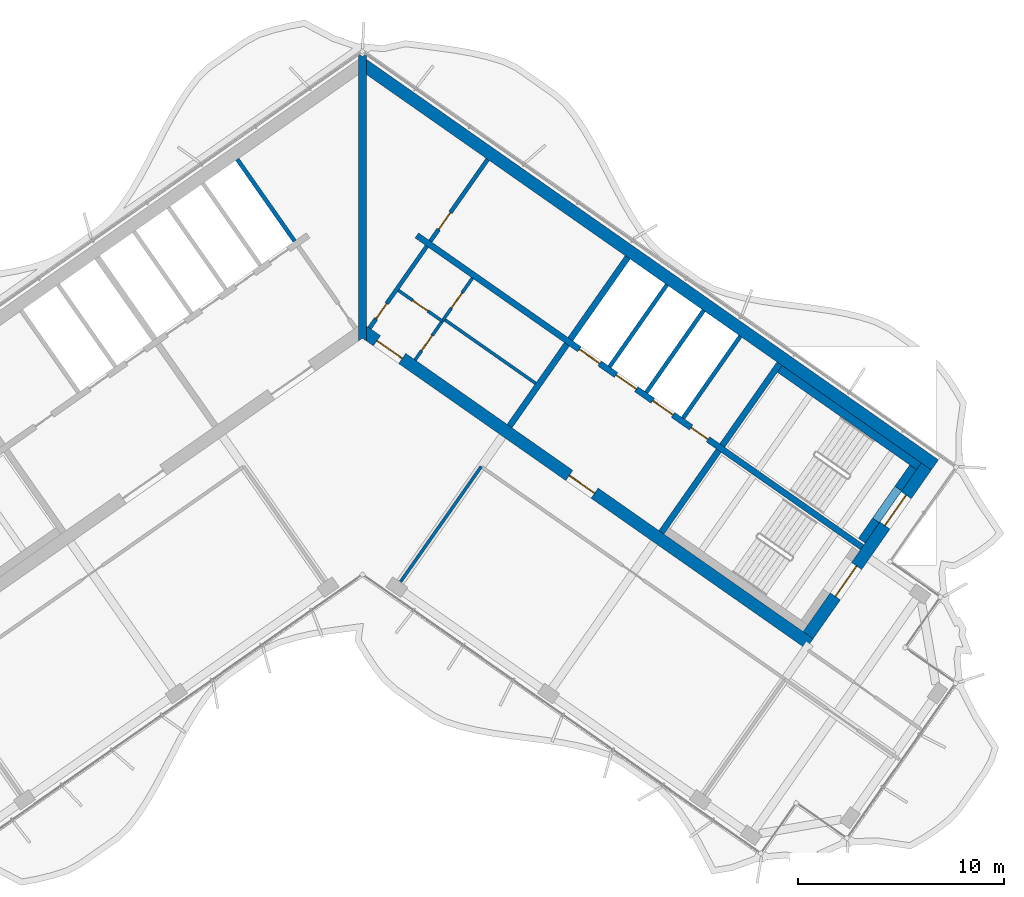
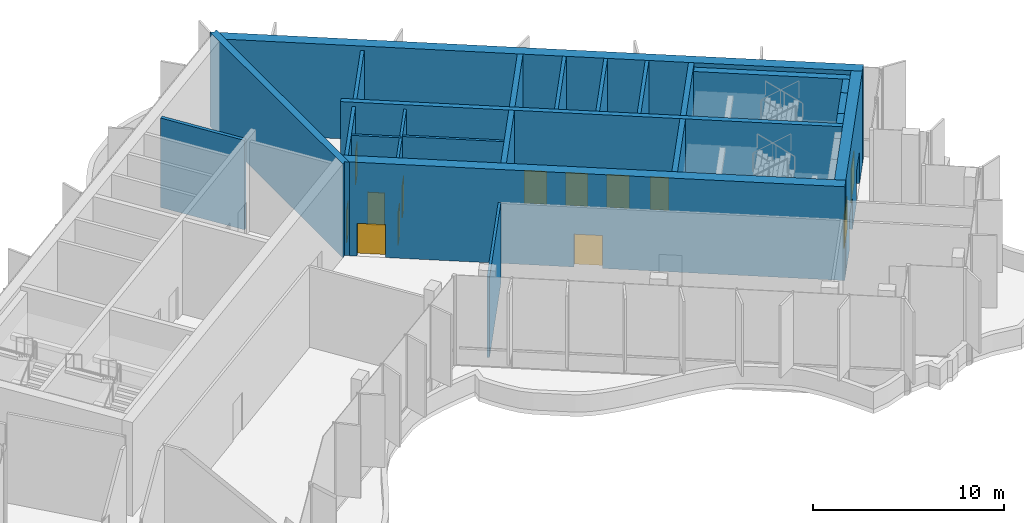
# One storey, part 10 of 18: 23 walls, 13 doors, 13 openings.
"""IFC4 building model written with IfcOpenShell, lengths in metres."""

from ifc_helpers import new_model, si_unit, direction, frame, frame_2d, origin, place, context, subcontext, project, spatial, polyline, rectangle, outline, extrude, material, layer, layer_set, type_object, element, fill, save


model = new_model("IFC4")

# Units and contexts
model_context = context("Model", 3, precision=1e-05, world=origin(), true_north=direction((0.0, 1.0)))
body_context = subcontext(model_context, "Body", "Model", "MODEL_VIEW")
ifc_project = project(units=[si_unit("LENGTHUNIT", "METRE"), si_unit("AREAUNIT", "SQUARE_METRE"), si_unit("VOLUMEUNIT", "CUBIC_METRE"), si_unit("PLANEANGLEUNIT", "RADIAN"), si_unit("MASSUNIT", "GRAM", prefix="KILO")], contexts=[model_context])

# Site, building, storey
site_placement = place(None, origin())
site = spatial("IfcSite", under=ifc_project, at=site_placement, CompositionType="ELEMENT")
building_placement = place(site_placement, origin())
building = spatial("IfcBuilding", under=site, at=building_placement, Name="Tel Ilan Convention Tower", CompositionType="ELEMENT")
storey_placement = place(building_placement, frame((0.0, 0.0, 307.300048828125)))
storey = spatial("IfcBuildingStorey", under=building, at=storey_placement, Name="L73", CompositionType="ELEMENT", Elevation=307.300048828125)

# Wall, openings, doors
ifc_material_1 = material(Name="Gypsum Plasterboard on Steel Stud", Category="steel")
ifc_layer_1 = layer(ifc_material_1, 0.14990234375)
ifc_layer_set_1 = layer_set([ifc_layer_1], Name="Core Room Partition Wall 150 mm EI 60")
wall_type_1 = type_object("IfcWallType", Name="Core Room Partition Wall 150 mm EI 60", PredefinedType="PARTITIONING", material=ifc_layer_set_1)
wall_1_placement = place(storey_placement, frame((2.5556640625, -2.27783203125, 0.0), z_axis=(0.0, 0.0, 1.0), x_axis=(0.573560315113, 0.819163332265, 0.0)))
wall_1 = element("IfcWall", 1, at=wall_1_placement, inside=storey, type_object=wall_type_1, Name="L73 core wall wc-v1", PredefinedType="PARTITIONING", context=body_context, shape_type="SweptSolid", body=[
    extrude(rectangle(XDim=4.849853515625, YDim=0.14990234375, at=frame_2d((2.4248046875, 0.0))), origin(), (0.0, 0.0, 1.0), 5.719970703125),
])
opening_1_placement = place(wall_1_placement, frame((0.550048828125, 0.0, 0.0)))
opening_1 = element("IfcOpeningElement", 2, at=opening_1_placement, cuts=wall_1, Name="Opening CD5511", PredefinedType="OPENING", context=body_context, shape_type="SweptSolid", body=[
    extrude(rectangle(XDim=0.89990234375, YDim=2.10009765625, at=frame_2d((0.449951171875, 1.050048828125))), frame((0.0, 0.0849609375, 0.0), z_axis=(0.0, -1.0, 0.0), x_axis=(1.0, 0.0, 0.0)), (0.0, 0.0, 1.0), 0.169921875),
])
opening_2_placement = place(wall_1_placement, frame((3.074951171875, 0.0, 0.0)))
opening_2 = element("IfcOpeningElement", 3, at=opening_2_placement, cuts=wall_1, Name="Opening CD5512", PredefinedType="OPENING", context=body_context, shape_type="SweptSolid", body=[
    extrude(rectangle(XDim=0.89990234375, YDim=2.10009765625, at=frame_2d((0.449951171875, 1.050048828125))), frame((0.0, 0.0849609375, 0.0), z_axis=(0.0, -1.0, 0.0), x_axis=(1.0, 0.0, 0.0)), (0.0, 0.0, 1.0), 0.169921875),
])
ifc_material_2 = material(Name="Laminated Timber Door Leaf", Category="wood")
door_type_1 = type_object("IfcDoorType", Name="Toilet Door 900 x 2100 FD30S", OperationType="NOTDEFINED", PredefinedType="DOOR", material=ifc_material_2)
door_1_placement = place(opening_1_placement, origin())
door_1 = element("IfcDoor", 4, at=door_1_placement, inside=storey, type_object=door_type_1, Name="Women's WC door", OperationType="SINGLE_SWING_RIGHT", OverallHeight=2.10009765625, OverallWidth=0.89990234375, PredefinedType="DOOR", context=body_context, shape_type="SweptSolid", body=[
    extrude(rectangle(XDim=0.89990234375, YDim=2.10009765625, at=frame_2d((0.449951171875, 1.050048828125))), frame((0.0, 0.02490234375, 0.0), z_axis=(0.0, -1.0, 0.0), x_axis=(1.0, 0.0, 0.0)), (0.0, 0.0, 1.0), 0.050048828125),
])
fill(opening_1, door_1)
door_2_placement = place(opening_2_placement, origin())
door_2 = element("IfcDoor", 5, at=door_2_placement, inside=storey, type_object=door_type_1, Name="Men's WC door", OperationType="SINGLE_SWING_RIGHT", OverallHeight=2.10009765625, OverallWidth=0.89990234375, PredefinedType="DOOR", context=body_context, shape_type="SweptSolid", body=[
    extrude(rectangle(XDim=0.89990234375, YDim=2.10009765625, at=frame_2d((0.449951171875, 1.050048828125))), frame((0.0, 0.02490234375, 0.0), z_axis=(0.0, -1.0, 0.0), x_axis=(1.0, 0.0, 0.0)), (0.0, 0.0, 1.0), 0.050048828125),
])
fill(opening_2, door_2)

# Wall, opening, door
wall_2_placement = place(storey_placement, frame((1.7451171875, 1.097412109375, 0.0), z_axis=(0.0, 0.0, 1.0), x_axis=(0.819178980414, -0.573537965655, 0.0)))
wall_2 = element("IfcWall", 6, at=wall_2_placement, inside=storey, type_object=wall_type_1, Name="L73 core wall wc-h1", PredefinedType="PARTITIONING", context=body_context, shape_type="SweptSolid", body=[
    extrude(rectangle(XDim=2.60009765625, YDim=0.14990234375, at=frame_2d((1.300048828125, 0.0))), origin(), (0.0, 0.0, 1.0), 5.719970703125),
])
opening_3_placement = place(wall_2_placement, frame((0.85009765625, 0.0, 0.0)))
opening_3 = element("IfcOpeningElement", 7, at=opening_3_placement, cuts=wall_2, Name="Opening CD5510", PredefinedType="OPENING", context=body_context, shape_type="SweptSolid", body=[
    extrude(rectangle(XDim=0.89990234375, YDim=2.10009765625, at=frame_2d((0.449951171875, 1.050048828125))), frame((0.0, 0.0849609375, 0.0), z_axis=(0.0, -1.0, 0.0), x_axis=(1.0, 0.0, 0.0)), (0.0, 0.0, 1.0), 0.169921875),
])
door_3_placement = place(opening_3_placement, origin())
door_3 = element("IfcDoor", 8, at=door_3_placement, inside=storey, type_object=door_type_1, Name="Accessible WC door", OperationType="SINGLE_SWING_RIGHT", OverallHeight=2.10009765625, OverallWidth=0.89990234375, PredefinedType="DOOR", context=body_context, shape_type="SweptSolid", body=[
    extrude(rectangle(XDim=0.89990234375, YDim=2.10009765625, at=frame_2d((0.449951171875, 1.050048828125))), frame((0.0, 0.02490234375, 0.0), z_axis=(0.0, -1.0, 0.0), x_axis=(1.0, 0.0, 0.0)), (0.0, 0.0, 1.0), 0.050048828125),
])
fill(opening_3, door_3)

# Walls
wall_3_placement = place(storey_placement, frame((3.946533203125, -0.29150390625, 0.0), z_axis=(0.0, 0.0, 1.0), x_axis=(0.819151939971, -0.573576585332, 0.0)))
element("IfcWall", 9, at=wall_3_placement, inside=storey, type_object=wall_type_1, Name="L73 core wall wc-h2", PredefinedType="PARTITIONING", context=body_context, shape_type="SweptSolid", body=[
    extrude(rectangle(XDim=5.449951171875, YDim=0.14990234375, at=frame_2d((2.72509765625, 0.0))), origin(), (0.0, 0.0, 1.0), 5.719970703125),
])
ifc_material_3 = material(Name="Concrete C30/37", Category="concrete")
ifc_layer_2 = layer(ifc_material_3, 0.199951171875)
ifc_layer_set_2 = layer_set([ifc_layer_2], Name="Core Service Room Wall 200 mm C30/37")
wall_type_2 = type_object("IfcWallType", Name="Core Service Room Wall 200 mm C30/37", PredefinedType="SOLIDWALL", material=ifc_layer_set_2)
wall_4_placement = place(storey_placement, frame((-3.2978515625, 3.489501953125, 0.0), z_axis=(0.0, 0.0, 1.0), x_axis=(-0.573560315113, 0.819163332265, 0.0)))
element("IfcWall", 10, at=wall_4_placement, inside=storey, type_object=wall_type_2, Name="L73 core wall apex-W-b", PredefinedType="SOLIDWALL", context=body_context, shape_type="SweptSolid", body=[
    extrude(rectangle(XDim=4.849853515625, YDim=0.199951171875, at=frame_2d((2.4248046875, 0.0))), origin(), (0.0, 0.0, 1.0), 5.719970703125),
])

# Wall, opening, door
wall_5_placement = place(storey_placement, frame((0.343994140625, -0.729248046875, 0.0), z_axis=(0.0, 0.0, 1.0), x_axis=(0.573560315113, 0.819163332265, 0.0)))
wall_5 = element("IfcWall", 11, at=wall_5_placement, inside=storey, type_object=wall_type_2, Name="L73 core wall apex-E", PredefinedType="SOLIDWALL", context=body_context, shape_type="SweptSolid", body=[
    extrude(rectangle(XDim=4.849853515625, YDim=0.199951171875, at=frame_2d((2.4248046875, 0.0))), origin(), (0.0, 0.0, 1.0), 5.719970703125),
])
opening_4_placement = place(wall_5_placement, frame((0.550048828125, 0.0, 0.0)))
opening_4 = element("IfcOpeningElement", 12, at=opening_4_placement, cuts=wall_5, Name="Opening CD5501", PredefinedType="OPENING", context=body_context, shape_type="SweptSolid", body=[
    extrude(rectangle(XDim=0.89990234375, YDim=2.10009765625, at=frame_2d((0.449951171875, 1.050048828125))), frame((0.0, 0.10986328125, 0.0), z_axis=(0.0, -1.0, 0.0), x_axis=(1.0, 0.0, 0.0)), (0.0, 0.0, 1.0), 0.219970703125),
])
ifc_material_4 = material(Name="Galvanised Steel Door Leaf", Category="steel")
door_type_2 = type_object("IfcDoorType", Name="Service Room Door 900 x 2100 FD60", OperationType="NOTDEFINED", PredefinedType="DOOR", material=ifc_material_4)
door_4_placement = place(opening_4_placement, origin())
door_4 = element("IfcDoor", 13, at=door_4_placement, inside=storey, type_object=door_type_2, Name="Store Room door", OperationType="SINGLE_SWING_RIGHT", OverallHeight=2.10009765625, OverallWidth=0.89990234375, PredefinedType="DOOR", context=body_context, shape_type="SweptSolid", body=[
    extrude(rectangle(XDim=0.89990234375, YDim=2.10009765625, at=frame_2d((0.449951171875, 1.050048828125))), frame((0.0, 0.02490234375, 0.0), z_axis=(0.0, -1.0, 0.0), x_axis=(1.0, 0.0, 0.0)), (0.0, 0.0, 1.0), 0.050048828125),
])
fill(opening_4, door_4)

wall_6_placement = place(storey_placement, frame((3.2978515625, 3.489501953125, 0.0), z_axis=(0.0, 0.0, 1.0), x_axis=(0.573560315113, 0.819163332265, 0.0)))
wall_6 = element("IfcWall", 14, at=wall_6_placement, inside=storey, type_object=wall_type_2, Name="L73 core wall apex-E-b", PredefinedType="SOLIDWALL", context=body_context, shape_type="SweptSolid", body=[
    extrude(rectangle(XDim=4.849853515625, YDim=0.199951171875, at=frame_2d((2.4248046875, 0.0))), origin(), (0.0, 0.0, 1.0), 5.719970703125),
])
opening_5_placement = place(wall_6_placement, frame((0.699951171875, 0.0, 0.0)))
opening_5 = element("IfcOpeningElement", 15, at=opening_5_placement, cuts=wall_6, Name="Opening CD5503", PredefinedType="OPENING", context=body_context, shape_type="SweptSolid", body=[
    extrude(rectangle(XDim=1.0, YDim=2.10009765625, at=frame_2d((0.5, 1.050048828125))), frame((0.0, 0.10986328125, 0.0), z_axis=(0.0, -1.0, 0.0), x_axis=(1.0, 0.0, 0.0)), (0.0, 0.0, 1.0), 0.219970703125),
])
ifc_material_5 = material(Name="Galvanised Steel Door Leaf", Category="steel")
door_type_3 = type_object("IfcDoorType", Name="Service Room Door 1000 x 2100 FD60", OperationType="NOTDEFINED", PredefinedType="DOOR", material=ifc_material_5)
door_5_placement = place(opening_5_placement, origin())
door_5 = element("IfcDoor", 16, at=door_5_placement, inside=storey, type_object=door_type_3, Name="Plant Room door", OperationType="SINGLE_SWING_RIGHT", OverallHeight=2.10009765625, OverallWidth=1.0, PredefinedType="DOOR", context=body_context, shape_type="SweptSolid", body=[
    extrude(rectangle(XDim=1.0, YDim=2.10009765625, at=frame_2d((0.5, 1.050048828125))), frame((0.0, 0.02490234375, 0.0), z_axis=(0.0, -1.0, 0.0), x_axis=(1.0, 0.0, 0.0)), (0.0, 0.0, 1.0), 0.050048828125),
])
fill(opening_5, door_5)

# Walls
ifc_material_6 = material(Name="Concrete C40/50", Category="concrete")
ifc_layer_3 = layer(ifc_material_6, 0.300048828125)
ifc_layer_set_3 = layer_set([ifc_layer_3], Name="Core Shear Wall 300 mm C40/50")
wall_type_3 = type_object("IfcWallType", Name="Core Shear Wall 300 mm C40/50", PredefinedType="SHEAR", material=ifc_layer_set_3)
wall_7_placement = place(storey_placement, frame((7.142822265625, -5.48974609375, 0.0), z_axis=(0.0, 0.0, 1.0), x_axis=(0.573617744349, 0.819123118565, 0.0)))
element("IfcWall", 17, at=wall_7_placement, inside=storey, type_object=wall_type_3, Name="L73 core wall E-cross1-1", PredefinedType="SHEAR", context=body_context, shape_type="SweptSolid", body=[
    extrude(outline(polyline([(0.0, 0.14990234375), (0.0, -0.150146484375), (4.85009765625, -0.14990234375), (4.85009765625, 0.150146484375), (0.0, 0.14990234375)])), origin(), (0.0, 0.0, 1.0), 6.0),
])
wall_8_placement = place(storey_placement, frame((10.096923828125, -1.271240234375, 0.0), z_axis=(0.0, 0.0, 1.0), x_axis=(0.573560315113, 0.819163332265, 0.0)))
element("IfcWall", 18, at=wall_8_placement, inside=storey, type_object=wall_type_3, Name="L73 core wall E-cross1-2", PredefinedType="SHEAR", context=body_context, shape_type="SweptSolid", body=[
    extrude(outline(polyline([(4.849853515625, -0.150146484375), (4.849853515625, 0.14990234375), (0.0, 0.150146484375), (0.0, -0.14990234375), (4.849853515625, -0.150146484375)])), origin(), (0.0, 0.0, 1.0), 6.0),
])
wall_9_placement = place(storey_placement, frame((14.515380859375, -10.652099609375, 0.0), z_axis=(0.0, 0.0, 1.0), x_axis=(0.573560315113, 0.819163332265, 0.0)))
element("IfcWall", 19, at=wall_9_placement, inside=storey, type_object=wall_type_3, Name="L73 core wall E-cross2-1", PredefinedType="SHEAR", context=body_context, shape_type="SweptSolid", body=[
    extrude(outline(polyline([(0.0, 0.150146484375), (0.0, -0.14990234375), (4.85009765625, -0.14990234375), (4.85009765625, 0.14990234375), (0.0, 0.150146484375)])), origin(), (0.0, 0.0, 1.0), 6.0),
])
wall_10_placement = place(storey_placement, frame((17.46923828125, -6.433349609375, 0.0), z_axis=(0.0, 0.0, 1.0), x_axis=(0.573594092424, 0.81913968109, 0.0)))
element("IfcWall", 20, at=wall_10_placement, inside=storey, type_object=wall_type_3, Name="L73 core wall E-cross2-2", PredefinedType="SHEAR", context=body_context, shape_type="SweptSolid", body=[
    extrude(outline(polyline([(4.849853515625, -0.14990234375), (4.849853515625, 0.150146484375), (0.0, 0.14990234375), (0.0, -0.14990234375), (4.849853515625, -0.14990234375)])), origin(), (0.0, 0.0, 1.0), 6.0),
])

# Wall, openings, doors
wall_11_placement = place(storey_placement, frame((2.638427734375, 3.76806640625, 0.0), z_axis=(0.0, 0.0, 1.0), x_axis=(0.819155014212, -0.573572194837, 0.0)))
wall_11 = element("IfcWall", 21, at=wall_11_placement, inside=storey, type_object=wall_type_3, Name="L73 core wall E-spine", PredefinedType="SHEAR", context=body_context, shape_type="SweptSolid", body=[
    extrude(outline(polyline([(0.0, 0.150146484375), (0.0, -0.14990234375), (26.39990234375, -0.150146484375), (26.39990234375, 0.14990234375), (0.0, 0.150146484375)])), origin(), (0.0, 0.0, 1.0), 6.0),
])
opening_6_placement = place(wall_11_placement, frame((9.637451171875, 0.0, 0.0)))
opening_6 = element("IfcOpeningElement", 22, at=opening_6_placement, cuts=wall_11, Name="Opening LD5501", PredefinedType="OPENING", context=body_context, shape_type="SweptSolid", body=[
    extrude(rectangle(XDim=1.199951171875, YDim=2.10009765625, at=frame_2d((0.60009765625, 1.050048828125))), frame((0.0, 0.159912109375, 0.0), z_axis=(0.0, -1.0, 0.0), x_axis=(1.0, 0.0, 0.0)), (0.0, 0.0, 1.0), 0.320068359375),
])
opening_7_placement = place(wall_11_placement, frame((11.8125, 0.0, 0.0)))
opening_7 = element("IfcOpeningElement", 23, at=opening_7_placement, cuts=wall_11, Name="Opening LD5502", PredefinedType="OPENING", context=body_context, shape_type="SweptSolid", body=[
    extrude(rectangle(XDim=1.199951171875, YDim=2.10009765625, at=frame_2d((0.60009765625, 1.050048828125))), frame((0.0, 0.159912109375, 0.0), z_axis=(0.0, -1.0, 0.0), x_axis=(1.0, 0.0, 0.0)), (0.0, 0.0, 1.0), 0.320068359375),
])
opening_8_placement = place(wall_11_placement, frame((13.987548828125, 0.0, 0.0)))
opening_8 = element("IfcOpeningElement", 24, at=opening_8_placement, cuts=wall_11, Name="Opening LD5503", PredefinedType="OPENING", context=body_context, shape_type="SweptSolid", body=[
    extrude(rectangle(XDim=1.199951171875, YDim=2.10009765625, at=frame_2d((0.60009765625, 1.050048828125))), frame((0.0, 0.159912109375, 0.0), z_axis=(0.0, -1.0, 0.0), x_axis=(1.0, 0.0, 0.0)), (0.0, 0.0, 1.0), 0.320068359375),
])
opening_9_placement = place(wall_11_placement, frame((16.262451171875, 0.0, 0.0)))
opening_9 = element("IfcOpeningElement", 25, at=opening_9_placement, cuts=wall_11, Name="Opening CD5508", PredefinedType="OPENING", context=body_context, shape_type="SweptSolid", body=[
    extrude(rectangle(XDim=1.0, YDim=2.10009765625, at=frame_2d((0.5, 1.050048828125))), frame((0.0, 0.159912109375, 0.0), z_axis=(0.0, -1.0, 0.0), x_axis=(1.0, 0.0, 0.0)), (0.0, 0.0, 1.0), 0.320068359375),
])
ifc_material_7 = material(Name="Stainless Steel Sliding Door Leaf", Category="steel")
door_type_4 = type_object("IfcDoorType", Name="Lift Landing Door 1200 x 2100 FD120", OperationType="NOTDEFINED", PredefinedType="DOOR", material=ifc_material_7)
door_6_placement = place(opening_6_placement, origin())
door_6 = element("IfcDoor", 26, at=door_6_placement, inside=storey, type_object=door_type_4, Name="Lift FL1 landing door", OperationType="SLIDING_TO_LEFT", OverallHeight=2.10009765625, OverallWidth=1.199951171875, PredefinedType="DOOR", context=body_context, shape_type="SweptSolid", body=[
    extrude(rectangle(XDim=1.199951171875, YDim=2.10009765625, at=frame_2d((0.60009765625, 1.050048828125))), frame((0.0, 0.02490234375, 0.0), z_axis=(0.0, -1.0, 0.0), x_axis=(1.0, 0.0, 0.0)), (0.0, 0.0, 1.0), 0.050048828125),
])
fill(opening_6, door_6)
door_7_placement = place(opening_7_placement, origin())
door_7 = element("IfcDoor", 27, at=door_7_placement, inside=storey, type_object=door_type_4, Name="Lift FL2 landing door", OperationType="SLIDING_TO_RIGHT", OverallHeight=2.10009765625, OverallWidth=1.199951171875, PredefinedType="DOOR", context=body_context, shape_type="SweptSolid", body=[
    extrude(rectangle(XDim=1.199951171875, YDim=2.10009765625, at=frame_2d((0.60009765625, 1.050048828125))), frame((0.0, 0.02490234375, 0.0), z_axis=(0.0, -1.0, 0.0), x_axis=(1.0, 0.0, 0.0)), (0.0, 0.0, 1.0), 0.050048828125),
])
fill(opening_7, door_7)
door_8_placement = place(opening_8_placement, origin())
door_8 = element("IfcDoor", 28, at=door_8_placement, inside=storey, type_object=door_type_4, Name="Lift FL3 landing door", OperationType="SLIDING_TO_LEFT", OverallHeight=2.10009765625, OverallWidth=1.199951171875, PredefinedType="DOOR", context=body_context, shape_type="SweptSolid", body=[
    extrude(rectangle(XDim=1.199951171875, YDim=2.10009765625, at=frame_2d((0.60009765625, 1.050048828125))), frame((0.0, 0.02490234375, 0.0), z_axis=(0.0, -1.0, 0.0), x_axis=(1.0, 0.0, 0.0)), (0.0, 0.0, 1.0), 0.050048828125),
])
fill(opening_8, door_8)
door_9_placement = place(opening_9_placement, origin())
door_9 = element("IfcDoor", 29, at=door_9_placement, inside=storey, type_object=door_type_3, Name="Plant Room door", OperationType="SINGLE_SWING_RIGHT", OverallHeight=2.10009765625, OverallWidth=1.0, PredefinedType="DOOR", context=body_context, shape_type="SweptSolid", body=[
    extrude(rectangle(XDim=1.0, YDim=2.10009765625, at=frame_2d((0.5, 1.050048828125))), frame((0.0, 0.02490234375, 0.0), z_axis=(0.0, -1.0, 0.0), x_axis=(1.0, 0.0, 0.0)), (0.0, 0.0, 1.0), 0.050048828125),
])
fill(opening_9, door_9)

# Walls
ifc_material_8 = material(Name="Concrete C40/50", Category="concrete")
ifc_layer_4 = layer(ifc_material_8, 0.39990234375)
ifc_layer_set_4 = layer_set([ifc_layer_4], Name="Core Shear Wall 400 mm C40/50")
wall_type_4 = type_object("IfcWallType", Name="Core Shear Wall 400 mm C40/50", PredefinedType="SHEAR", material=ifc_layer_set_4)
wall_12_placement = place(storey_placement, frame((0.0, -1.36083984375, 0.0), z_axis=(0.0, 0.0, 1.0), x_axis=(0.0, 1.0, 0.0)))
element("IfcWall", 30, at=wall_12_placement, inside=storey, type_object=wall_type_4, Name="L73 core wall K-central", PredefinedType="SHEAR", context=body_context, shape_type="SweptSolid", body=[
    extrude(outline(polyline([(0.14013671875, 0.199951171875), (0.0, 0.199951171875), (0.14013671875, 0.0), (0.0, -0.199951171875), (0.14013671875, -0.199951171875), (1.012451171875, -0.199951171875), (12.940185546875, -0.199951171875), (13.812744140625, -0.199951171875), (13.893310546875, -0.199951171875), (13.933349609375, -0.172119140625), (13.812744140625, 0.0), (13.933349609375, 0.172119140625), (13.893310546875, 0.199951171875), (13.812744140625, 0.199951171875), (12.940185546875, 0.199951171875), (1.012451171875, 0.199951171875), (0.14013671875, 0.199951171875)])), origin(), (0.0, 0.0, 1.0), 6.0),
])
ifc_material_9 = material(Name="Concrete C40/50", Category="concrete")
ifc_layer_5 = layer(ifc_material_9, 0.60009765625)
ifc_layer_set_5 = layer_set([ifc_layer_5], Name="Core Shear Wall 600 mm C40/50")
wall_type_5 = type_object("IfcWallType", Name="Core Shear Wall 600 mm C40/50", PredefinedType="SHEAR", material=ifc_layer_set_5)
wall_13_placement = place(storey_placement, frame((0.02783203125, 12.066162109375, 0.0), z_axis=(0.0, 0.0, 1.0), x_axis=(0.819151382952, -0.573577380837, 0.0)))
element("IfcWall", 31, at=wall_13_placement, inside=storey, type_object=wall_type_5, Name="L73 core wall E-back", PredefinedType="SHEAR", context=body_context, shape_type="SweptSolid", body=[
    extrude(outline(polyline([(33.898193359375, 0.300048828125), (0.0, 0.300048828125), (0.420166015625, -0.300048828125), (33.89794921875, -0.300048828125), (33.898193359375, 0.300048828125)])), origin(), (0.0, 0.0, 1.0), 6.0),
])

# Wall, openings, doors
wall_14_placement = place(storey_placement, frame((0.02783203125, -0.8740234375, 0.0), z_axis=(0.0, 0.0, 1.0), x_axis=(0.819150035022, -0.573579305871, 0.0)))
wall_14 = element("IfcWall", 32, at=wall_14_placement, inside=storey, type_object=wall_type_5, Name="L73 core wall E-front", PredefinedType="SHEAR", context=body_context, shape_type="SweptSolid", body=[
    extrude(outline(polyline([(26.475830078125, 0.300048828125), (0.000244140625, 0.300048828125), (0.420166015625, -0.300048828125), (26.475830078125, -0.2998046875), (26.475830078125, 0.300048828125)])), origin(), (0.0, 0.0, 1.0), 6.0),
])
opening_10_placement = place(wall_14_placement, frame((0.82568359375, 0.0, 0.0)))
opening_10 = element("IfcOpeningElement", 33, at=opening_10_placement, cuts=wall_14, Name="Opening CD5504", PredefinedType="OPENING", context=body_context, shape_type="SweptSolid", body=[
    extrude(rectangle(XDim=1.5, YDim=2.10009765625, at=frame_2d((0.75, 1.050048828125))), frame((0.0, 0.31005859375, 0.0), z_axis=(0.0, -1.0, 0.0), x_axis=(1.0, 0.0, 0.0)), (0.0, 0.0, 1.0), 0.6201171875),
])
opening_11_placement = place(wall_14_placement, frame((12.225830078125, 0.0, 0.0)))
opening_11 = element("IfcOpeningElement", 34, at=opening_11_placement, cuts=wall_14, Name="Opening CD5505", PredefinedType="OPENING", context=body_context, shape_type="SweptSolid", body=[
    extrude(rectangle(XDim=1.5, YDim=2.10009765625, at=frame_2d((0.75, 1.050048828125))), frame((0.0, 0.31005859375, 0.0), z_axis=(0.0, -1.0, 0.0), x_axis=(1.0, 0.0, 0.0)), (0.0, 0.0, 1.0), 0.6201171875),
])
ifc_material_10 = material(Name="Glazed Aluminium Door Leaf", Category="aluminium")
door_type_5 = type_object("IfcDoorType", Name="Lobby Opening Door 1500 x 2100 FD60S", OperationType="NOTDEFINED", PredefinedType="DOOR", material=ifc_material_10)
door_10_placement = place(opening_11_placement, origin())
door_10 = element("IfcDoor", 35, at=door_10_placement, inside=storey, type_object=door_type_5, Name="Firefighting Lobby door", OperationType="DOUBLE_DOOR_SINGLE_SWING", OverallHeight=2.10009765625, OverallWidth=1.5, PredefinedType="DOOR", context=body_context, shape_type="SweptSolid", body=[
    extrude(rectangle(XDim=1.5, YDim=2.10009765625, at=frame_2d((0.75, 1.050048828125))), frame((0.0, 0.02490234375, 0.0), z_axis=(0.0, -1.0, 0.0), x_axis=(1.0, 0.0, 0.0)), (0.0, 0.0, 1.0), 0.050048828125),
])
fill(opening_11, door_10)
ifc_material_11 = material(Name="Laminated Timber Door Leaf", Category="wood")
door_type_6 = type_object("IfcDoorType", Name="Toilet Door 1500 x 2100 FD30S", OperationType="NOTDEFINED", PredefinedType="DOOR", material=ifc_material_11)
door_11_placement = place(opening_10_placement, origin())
door_11 = element("IfcDoor", 36, at=door_11_placement, inside=storey, type_object=door_type_6, Name="WC Lobby door", OperationType="SINGLE_SWING_RIGHT", OverallHeight=2.10009765625, OverallWidth=1.5, PredefinedType="DOOR", context=body_context, shape_type="SweptSolid", body=[
    extrude(rectangle(XDim=1.5, YDim=2.10009765625, at=frame_2d((0.75, 1.050048828125))), frame((0.0, 0.02490234375, 0.0), z_axis=(0.0, -1.0, 0.0), x_axis=(1.0, 0.0, 0.0)), (0.0, 0.0, 1.0), 0.050048828125),
])
fill(opening_10, door_11)

wall_15_placement = place(storey_placement, frame((21.641845703125, -15.64208984375, 0.0), z_axis=(0.0, 0.0, 1.0), x_axis=(0.573586866468, 0.819144740944, 0.0)))
wall_15 = element("IfcWall", 37, at=wall_15_placement, inside=storey, type_object=wall_type_5, Name="L73 core wall E-end", PredefinedType="SHEAR", context=body_context, shape_type="SweptSolid", body=[
    extrude(outline(polyline([(10.0, 0.300048828125), (0.0, 0.2998046875), (0.0, -0.300048828125), (10.0, -0.300048828125), (10.0, 0.300048828125)])), origin(), (0.0, 0.0, 1.0), 6.0),
])
opening_12_placement = place(wall_15_placement, frame((6.5, 0.0, 0.0)))
opening_12 = element("IfcOpeningElement", 38, at=opening_12_placement, cuts=wall_15, Name="Opening SD5503", PredefinedType="OPENING", context=body_context, shape_type="SweptSolid", body=[
    extrude(rectangle(XDim=1.800048828125, YDim=2.10009765625, at=frame_2d((0.89990234375, 1.050048828125))), frame((0.0, 0.31005859375, 0.0), z_axis=(0.0, -1.0, 0.0), x_axis=(1.0, 0.0, 0.0)), (0.0, 0.0, 1.0), 0.6201171875),
])
opening_13_placement = place(wall_15_placement, frame((2.300048828125, 0.0, 0.0)))
opening_13 = element("IfcOpeningElement", 39, at=opening_13_placement, cuts=wall_15, Name="Opening SD5504", PredefinedType="OPENING", context=body_context, shape_type="SweptSolid", body=[
    extrude(rectangle(XDim=1.800048828125, YDim=2.10009765625, at=frame_2d((0.89990234375, 1.050048828125))), frame((0.0, 0.31005859375, 0.0), z_axis=(0.0, -1.0, 0.0), x_axis=(1.0, 0.0, 0.0)), (0.0, 0.0, 1.0), 0.6201171875),
])
ifc_material_12 = material(Name="Galvanised Steel Door Leaf", Category="steel")
door_type_7 = type_object("IfcDoorType", Name="Stair Fire Door 1800 x 2100 FD60S", OperationType="NOTDEFINED", PredefinedType="DOOR", material=ifc_material_12)
door_12_placement = place(opening_12_placement, origin())
door_12 = element("IfcDoor", 40, at=door_12_placement, inside=storey, type_object=door_type_7, Name="Stair S3 door", OperationType="DOUBLE_DOOR_SINGLE_SWING", OverallHeight=2.10009765625, OverallWidth=1.800048828125, PredefinedType="DOOR", context=body_context, shape_type="SweptSolid", body=[
    extrude(rectangle(XDim=1.800048828125, YDim=2.10009765625, at=frame_2d((0.89990234375, 1.050048828125))), frame((0.0, 0.02490234375, 0.0), z_axis=(0.0, -1.0, 0.0), x_axis=(1.0, 0.0, 0.0)), (0.0, 0.0, 1.0), 0.050048828125),
])
fill(opening_12, door_12)
door_13_placement = place(opening_13_placement, origin())
door_13 = element("IfcDoor", 41, at=door_13_placement, inside=storey, type_object=door_type_7, Name="Stair S4 door", OperationType="DOUBLE_DOOR_SINGLE_SWING", OverallHeight=2.10009765625, OverallWidth=1.800048828125, PredefinedType="DOOR", context=body_context, shape_type="SweptSolid", body=[
    extrude(rectangle(XDim=1.800048828125, YDim=2.10009765625, at=frame_2d((0.89990234375, 1.050048828125))), frame((0.0, 0.02490234375, 0.0), z_axis=(0.0, -1.0, 0.0), x_axis=(1.0, 0.0, 0.0)), (0.0, 0.0, 1.0), 0.050048828125),
])
fill(opening_13, door_13)

# Walls
ifc_material_13 = material(Name="Plasterboard on Steel Studs", Category="steel")
ifc_layer_6 = layer(ifc_material_13, 0.14990234375)
ifc_layer_set_6 = layer_set([ifc_layer_6], Name="Fire-rated Partition 150 EI 60")
wall_type_6 = type_object("IfcWallType", Name="Fire-rated Partition 150 EI 60", PredefinedType="PARTITIONING", material=ifc_layer_set_6)
wall_16_placement = place(storey_placement, frame((1.848876953125, -13.050537109375, 0.0), z_axis=(0.0, 0.0, 1.0), x_axis=(0.573577493031, 0.819151304393, 0.0)))
element("IfcWall", 42, at=wall_16_placement, inside=storey, type_object=wall_type_6, Name="Partition 008", PredefinedType="PARTITIONING", context=body_context, shape_type="SweptSolid", body=[
    extrude(rectangle(XDim=6.829833984375, YDim=0.14990234375, at=frame_2d((3.4150390625, 0.0))), origin(), (0.0, 0.0, 1.0), 5.14990234375),
])
ifc_material_14 = material(Name="Concrete C30/37", Category="concrete")
ifc_layer_7 = layer(ifc_material_14, 0.199951171875)
ifc_layer_set_7 = layer_set([ifc_layer_7], Name="Lift Shaft Wall 200 mm C30/37")
wall_type_7 = type_object("IfcWallType", Name="Lift Shaft Wall 200 mm C30/37", PredefinedType="SOLIDWALL", material=ifc_layer_set_7)
wall_17_placement = place(storey_placement, frame((12.00146484375, -2.604736328125, 0.0), z_axis=(0.0, 0.0, 1.0), x_axis=(0.573560315113, 0.819163332265, 0.0)))
element("IfcWall", 43, at=wall_17_placement, inside=storey, type_object=wall_type_7, Name="L73 core wall bank-E2-p0", PredefinedType="SOLIDWALL", context=body_context, shape_type="SweptSolid", body=[
    extrude(rectangle(XDim=4.849853515625, YDim=0.199951171875, at=frame_2d((2.4248046875, 0.0))), origin(), (0.0, 0.0, 1.0), 6.0),
])
wall_18_placement = place(storey_placement, frame((13.782958984375, -3.852294921875, 0.0), z_axis=(0.0, 0.0, 1.0), x_axis=(0.573594092424, 0.81913968109, 0.0)))
element("IfcWall", 44, at=wall_18_placement, inside=storey, type_object=wall_type_7, Name="L73 core wall bank-E2-p1", PredefinedType="SOLIDWALL", context=body_context, shape_type="SweptSolid", body=[
    extrude(rectangle(XDim=4.85009765625, YDim=0.199951171875, at=frame_2d((2.425048828125, 0.0))), origin(), (0.0, 0.0, 1.0), 6.0),
])
wall_19_placement = place(storey_placement, frame((15.564697265625, -5.099853515625, 0.0), z_axis=(0.0, 0.0, 1.0), x_axis=(0.573560315113, 0.819163332265, 0.0)))
element("IfcWall", 45, at=wall_19_placement, inside=storey, type_object=wall_type_7, Name="L73 core wall bank-E2-p2", PredefinedType="SOLIDWALL", context=body_context, shape_type="SweptSolid", body=[
    extrude(rectangle(XDim=4.849853515625, YDim=0.199951171875, at=frame_2d((2.4248046875, 0.0))), origin(), (0.0, 0.0, 1.0), 6.0),
])
ifc_material_15 = material(Name="Concrete C30/37", Category="concrete")
ifc_layer_8 = layer(ifc_material_15, 0.39990234375)
ifc_layer_set_8 = layer_set([ifc_layer_8], Name="Stair and Shaft Lining Wall 400 mm C30/37")
wall_type_8 = type_object("IfcWallType", Name="Stair and Shaft Lining Wall 400 mm C30/37", PredefinedType="SOLIDWALL", material=ifc_layer_set_8)
wall_20_placement = place(storey_placement, frame((20.25927734375, -2.71044921875, 0.0), z_axis=(0.0, 0.0, 1.0), x_axis=(0.81914849389, -0.573581506813, 0.0)))
element("IfcWall", 46, at=wall_20_placement, inside=storey, type_object=wall_type_8, Name="L73 core wall lining-S3-t1", PredefinedType="SOLIDWALL", context=body_context, shape_type="SweptSolid", body=[
    extrude(rectangle(XDim=8.249755859375, YDim=0.39990234375, at=frame_2d((4.125, 0.0))), origin(), (0.0, 0.0, 1.0), 5.719970703125),
])
wall_21_placement = place(storey_placement, frame((24.24365234375, -11.0546875, 0.0), z_axis=(0.0, 0.0, 1.0), x_axis=(0.573571582932, 0.819155442668, 0.0)))
element("IfcWall", 47, at=wall_21_placement, inside=storey, type_object=wall_type_8, Name="L73 core wall lining-S3-u1-0", PredefinedType="SOLIDWALL", context=body_context, shape_type="SweptSolid", body=[
    extrude(rectangle(XDim=1.199951171875, YDim=0.39990234375, at=frame_2d((0.60009765625, 0.0))), origin(), (0.0, 0.0, 1.0), 5.719970703125),
])
wall_22_placement = place(storey_placement, frame((26.021728515625, -8.515380859375, 0.0), z_axis=(0.0, 0.0, 1.0), x_axis=(0.573619628835, 0.819121798889, 0.0)))
element("IfcWall", 48, at=wall_22_placement, inside=storey, type_object=wall_type_8, Name="L73 core wall lining-S3-u1-1", PredefinedType="SOLIDWALL", context=body_context, shape_type="SweptSolid", body=[
    extrude(rectangle(XDim=1.25, YDim=0.39990234375, at=frame_2d((0.625, 0.0))), origin(), (0.0, 0.0, 1.0), 5.719970703125),
])
wall_23_placement = place(storey_placement, frame((24.931884765625, -10.07177734375, 2.14990234375), z_axis=(0.0, 0.0, 1.0), x_axis=(0.573591692345, 0.819141361715, 0.0)))
element("IfcWall", 49, at=wall_23_placement, inside=storey, type_object=wall_type_8, Name="L73 core wall lining-S3-u1-lintel", PredefinedType="SOLIDWALL", context=body_context, shape_type="SweptSolid", body=[
    extrude(rectangle(XDim=1.900146484375, YDim=0.39990234375, at=frame_2d((0.9501953125, 0.0))), origin(), (0.0, 0.0, 1.0), 3.570068359375),
])

save(model, "model.ifc")
